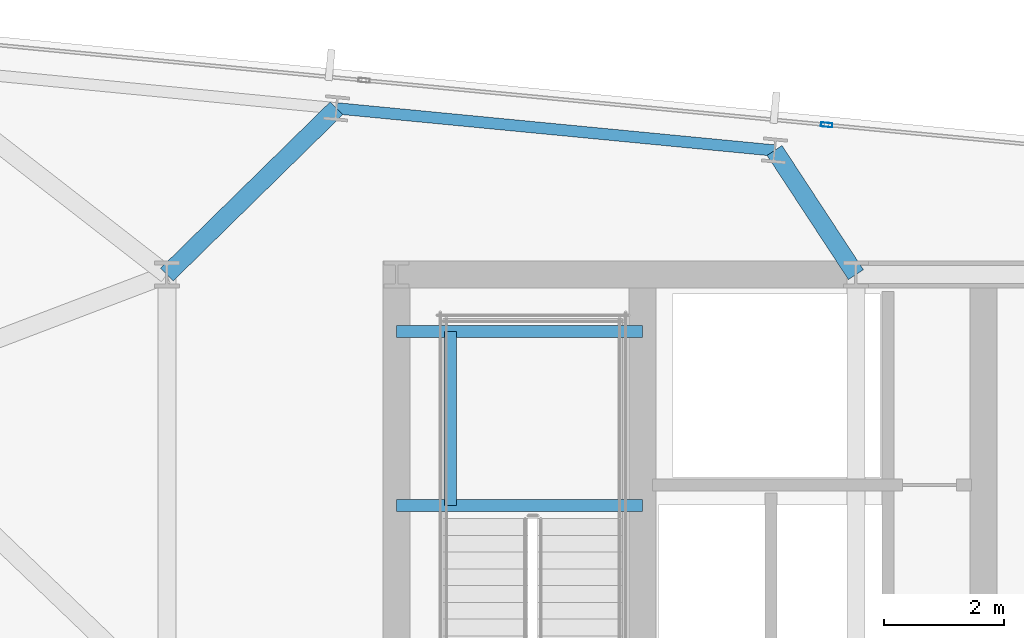
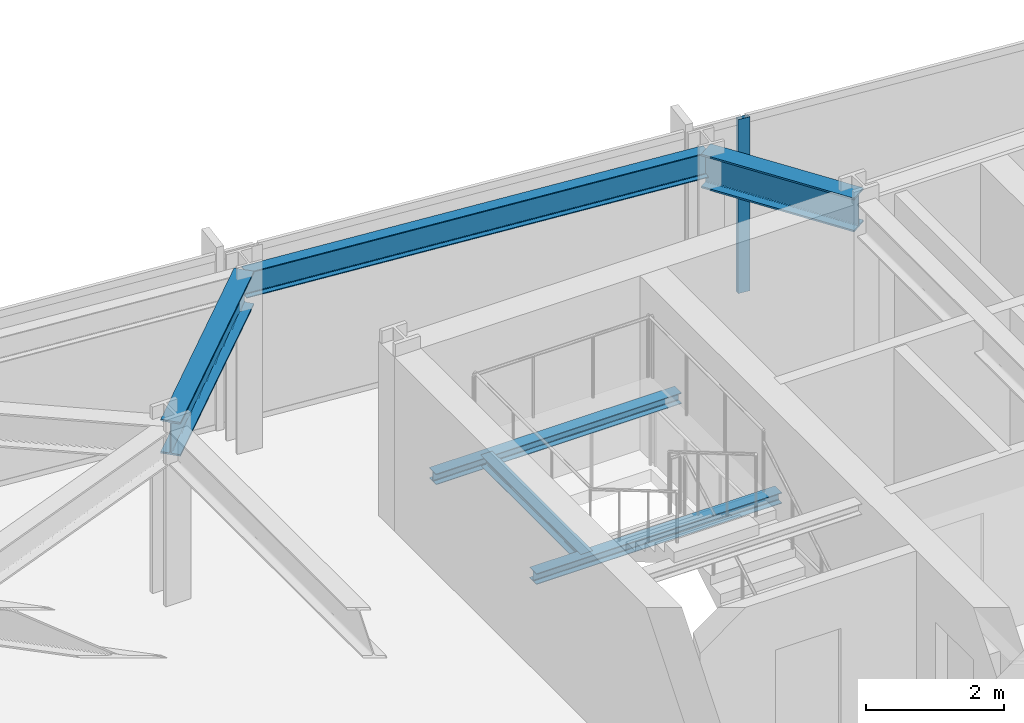
# One storey, part 24 of 38: 6 beams, 1 member, 1 element without a shape of its own.
"""IFC4 building model written with IfcOpenShell, lengths in metres."""

from ifc_helpers import new_model, si_unit, direction, frame, origin, origin_2d, place, context, subcontext, project, spatial, hollow_rectangle, i_section, extrude, material, material_profile, profile_set, type_object, element, aggregate, save


model = new_model("IFC4")

# Units and contexts
model_context = context("Model", 3, precision=1e-05, world=origin(), true_north=direction((0.0, 1.0)))
body_context = subcontext(model_context, "Body", "Model", "MODEL_VIEW")
ifc_project = project(units=[si_unit("LENGTHUNIT", "METRE"), si_unit("AREAUNIT", "SQUARE_METRE"), si_unit("VOLUMEUNIT", "CUBIC_METRE"), si_unit("PLANEANGLEUNIT", "RADIAN"), si_unit("MASSUNIT", "GRAM", prefix="KILO")], contexts=[model_context])

# Site, building, storey
site_placement = place(None, origin())
site = spatial("IfcSite", under=ifc_project, at=site_placement, CompositionType="ELEMENT")
building_placement = place(site_placement, origin())
building = spatial("IfcBuilding", under=site, at=building_placement, Name="Yelkora Congress Tower", CompositionType="ELEMENT")
storey_placement = place(building_placement, frame((0.0, 0.0, 185.300048828125)))
storey = spatial("IfcBuildingStorey", under=building, at=storey_placement, Name="L51", CompositionType="ELEMENT", Elevation=185.300048828125)

# Beams
ifc_material_1 = material(Name="Steel S355J2", Category="steel")
ifc_material_profile_1 = material_profile(ifc_material_1, i_section(OverallWidth=0.300048828125, OverallDepth=0.60009765625, WebThickness=0.015380859375, FlangeThickness=0.030029296875, FilletRadius=0.027099609375, at=origin_2d()), Name="HEB 600")
ifc_profile_set_1 = profile_set([ifc_material_profile_1], Name="Steel S355J2")
beam_type_1 = type_object("IfcBeamType", Name="BM-GIRD-HEB600", PredefinedType="BEAM", material=ifc_profile_set_1)
beam_1_placement = place(storey_placement, frame((22.035400390625, 48.980224609375, 2.780029296875), z_axis=(-0.714019806588, -0.700125500036, 0.0), x_axis=(0.700125500036, -0.714019806588, 0.0)))
element("IfcBeam", 1, at=beam_1_placement, inside=storey, type_object=beam_type_1, Name="L51 Primary Frame Girder N03", PredefinedType="BEAM", context=body_context, shape_type="SweptSolid", body=[
    extrude(i_section(OverallWidth=0.300048828125, OverallDepth=0.60009765625, WebThickness=0.015380859375, FlangeThickness=0.030029296875, FilletRadius=0.027099609375, at=origin_2d()), origin(), (0.0, 0.0, 1.0), 3.97119140625),
])
beam_2_placement = place(storey_placement, frame((29.358642578125, 48.275146484375, 2.780029296875), z_axis=(0.548510321976, -0.8361437835, 0.0), x_axis=(0.8361437835, 0.548510321976, 0.0)))
element("IfcBeam", 2, at=beam_2_placement, inside=storey, type_object=beam_type_1, Name="L51 Primary Frame Girder N04", PredefinedType="BEAM", context=body_context, shape_type="SweptSolid", body=[
    extrude(i_section(OverallWidth=0.300048828125, OverallDepth=0.60009765625, WebThickness=0.015380859375, FlangeThickness=0.030029296875, FilletRadius=0.027099609375, at=origin_2d()), origin(), (0.0, 0.0, 1.0), 2.48193359375),
])
ifc_material_profile_2 = material_profile(ifc_material_1, i_section(OverallWidth=0.199951171875, OverallDepth=0.18994140625, WebThickness=0.006591796875, FlangeThickness=0.010009765625, FilletRadius=0.01806640625, at=origin_2d()), Name="HEA 200")
ifc_profile_set_2 = profile_set([ifc_material_profile_2], Name="Steel S355J2")
beam_type_2 = type_object("IfcBeamType", Name="BM-LAND-HEA200", PredefinedType="BEAM", material=ifc_profile_set_2)
for number, where, z_axis, x_axis, name in (
    (3, (23.0400390625, 42.340087890625, 1.33447265625), (1.0, 0.0, 0.0), (0.0, 1.0, 0.0), "ST-01 L51 Landing Header Beam 1S"),
    (4, (23.0400390625, 45.25, 1.33447265625), (1.0, 0.0, 0.0), (0.0, 1.0, 0.0), "ST-01 L51 Landing Header Beam 1N"),
):
    element("IfcBeam", number, at=place(storey_placement, frame(where, z_axis=z_axis, x_axis=x_axis)), inside=storey, type_object=beam_type_2, Name=name, PredefinedType="BEAM", context=body_context, shape_type="SweptSolid", body=[
        extrude(i_section(OverallWidth=0.199951171875, OverallDepth=0.18994140625, WebThickness=0.006591796875, FlangeThickness=0.010009765625, FilletRadius=0.01806640625, at=origin_2d()), origin(), (0.0, 0.0, 1.0), 4.10986328125),
    ])
beam_3_placement = place(storey_placement, frame((23.93994140625, 42.340087890625, 1.33447265625), z_axis=(0.0, 1.0, 0.0), x_axis=(-1.0, 0.0, 0.0)))
element("IfcBeam", 5, at=beam_3_placement, inside=storey, type_object=beam_type_2, Name="ST-01 L51 Landing Trimmer Beam 1M", PredefinedType="BEAM", context=body_context, shape_type="SweptSolid", body=[
    extrude(i_section(OverallWidth=0.199951171875, OverallDepth=0.18994140625, WebThickness=0.006591796875, FlangeThickness=0.010009765625, FilletRadius=0.01806640625, at=origin_2d()), origin(), (0.0, 0.0, 1.0), 2.909912109375),
])
ifc_material_profile_3 = material_profile(ifc_material_1, i_section(OverallWidth=0.18994140625, OverallDepth=0.449951171875, WebThickness=0.009521484375, FlangeThickness=0.0146484375, FilletRadius=0.02099609375, at=origin_2d()), Name="IPE 450")
ifc_profile_set_3 = profile_set([ifc_material_profile_3], Name="Steel S355J2")
beam_type_3 = type_object("IfcBeamType", Name="BM-SPAN-IPE450", PredefinedType="SPANDREL", material=ifc_profile_set_3)
beam_4_placement = place(storey_placement, frame((29.358642578125, 48.275146484375, 2.85498046875), z_axis=(-0.995397104697, 0.095836339457, 0.0), x_axis=(-0.095836339457, -0.995397104697, 0.0)))
element("IfcBeam", 6, at=beam_4_placement, inside=storey, type_object=beam_type_3, Name="L51 Perimeter Beam 13", PredefinedType="SPANDREL", context=body_context, shape_type="SweptSolid", body=[
    extrude(i_section(OverallWidth=0.18994140625, OverallDepth=0.449951171875, WebThickness=0.009521484375, FlangeThickness=0.0146484375, FilletRadius=0.02099609375, at=origin_2d()), origin(), (0.0, 0.0, 1.0), 7.357177734375),
])

# Curtain wall, member
ifc_material_2 = material(Name="Anodised aluminium and insulated glass", Category="aluminium")
curtain_wall_type = type_object("IfcCurtainWallType", Name="CW-SYS-B3", PredefinedType="NOTDEFINED", material=ifc_material_2)
curtain_wall_placement = place(storey_placement, origin())
curtain_wall = element("IfcCurtainWall", 7, at=curtain_wall_placement, inside=storey, type_object=curtain_wall_type, Name="L51 Unitised Curtain Wall 10 (1)", PredefinedType="NOTDEFINED")
ifc_material_3 = material(Name="Anodised aluminium 6063-T6", Category="aluminium")
ifc_material_profile_4 = material_profile(ifc_material_3, hollow_rectangle(XDim=0.070068359375, YDim=0.18994140625, WallThickness=0.00390625, at=origin_2d()), Name="ALU 70x190x4")
ifc_profile_set_4 = profile_set([ifc_material_profile_4], Name="Anodised aluminium 6063-T6")
member_type = type_object("IfcMemberType", Name="MEM-ML-B3", PredefinedType="MULLION", material=ifc_profile_set_4)
member_placement = place(storey_placement, frame((30.230224609375, 48.70361328125, 0.0), z_axis=(0.0, 0.0, 1.0), x_axis=(0.095844761168, 0.995396293823, 0.0)))
member = element("IfcMember", 8, at=member_placement, type_object=member_type, Name="CW-B3 mullion 4", PredefinedType="MULLION", context=body_context, shape_type="SweptSolid", body=[
    extrude(hollow_rectangle(XDim=0.070068359375, YDim=0.18994140625, WallThickness=0.00390625, at=origin_2d()), origin(), (0.0, 0.0, 1.0), 3.079833984375),
])
aggregate(curtain_wall, [member])

save(model, "model.ifc")
